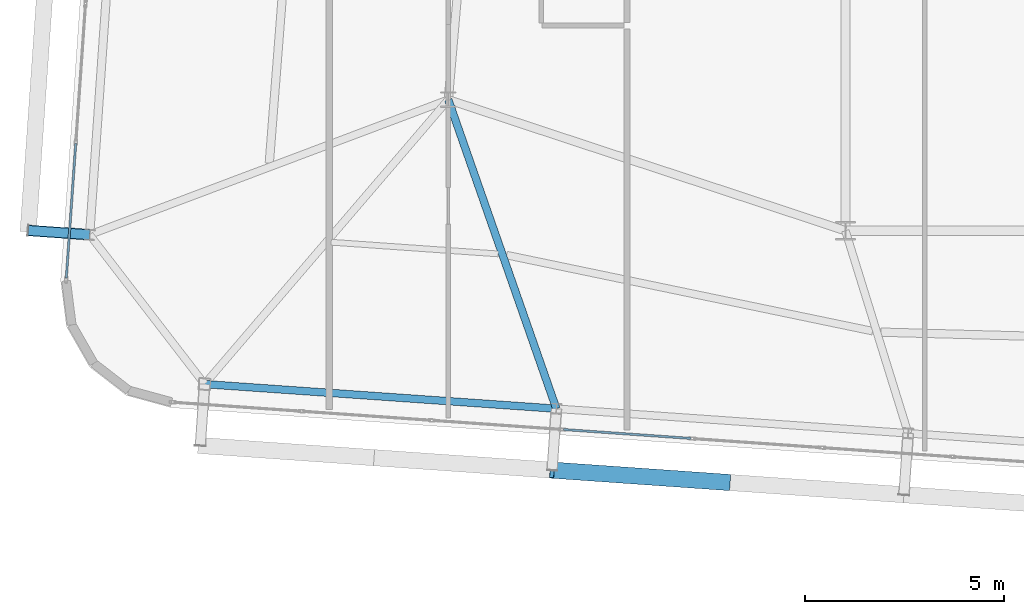
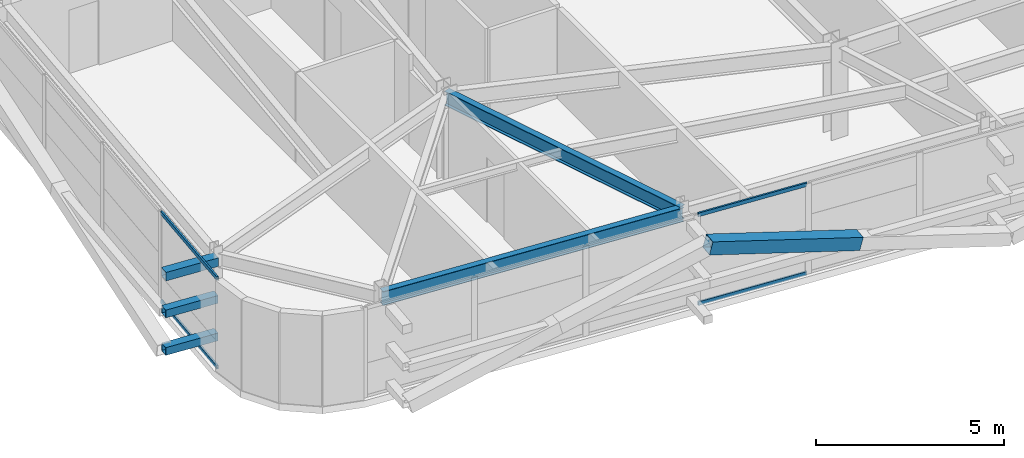
# One storey, part 7 of 47: 8 members, 2 beams, 2 elements without a shape of their own.
"""IFC4 building model written with IfcOpenShell, lengths in metres."""

from ifc_helpers import new_model, si_unit, direction, frame, origin, origin_2d, place, context, subcontext, project, spatial, hollow_rectangle, i_section, extrude, source, transform, mapped, material, layer, layer_set, material_profile, profile_set, type_object, element, aggregate, save


model = new_model("IFC4")

# Units and contexts
model_context = context("Model", 3, precision=1e-05, world=origin(), true_north=direction((0.0, 1.0)))
body_context = subcontext(model_context, "Body", "Model", "MODEL_VIEW")
ifc_project = project(units=[si_unit("LENGTHUNIT", "METRE"), si_unit("AREAUNIT", "SQUARE_METRE"), si_unit("VOLUMEUNIT", "CUBIC_METRE"), si_unit("PLANEANGLEUNIT", "RADIAN"), si_unit("MASSUNIT", "GRAM", prefix="KILO")], contexts=[model_context])

# Site, building, storey
site_placement = place(None, origin())
site = spatial("IfcSite", under=ifc_project, at=site_placement, CompositionType="ELEMENT")
building_placement = place(site_placement, origin())
building = spatial("IfcBuilding", under=site, at=building_placement, Name="Taldren Reach Tower", CompositionType="ELEMENT")
storey_placement = place(building_placement, frame((0.0, 0.0, 139.300048828125)))
storey = spatial("IfcBuildingStorey", under=building, at=storey_placement, Name="L42", CompositionType="ELEMENT", Elevation=139.300048828125)

# Members
ifc_material_1 = material(Name="Steel Gr 450 (C450L0)", Category="steel")
ifc_material_profile_1 = material_profile(ifc_material_1, hollow_rectangle(XDim=0.27490234375, YDim=0.27490234375, WallThickness=0.00927734375, at=origin_2d()), Name="275x275x9.3SHS")
ifc_profile_set_1 = profile_set([ifc_material_profile_1], Name="Steel Gr 450 (C450L0)")
member_type_1 = type_object("IfcMemberType", Name="MB-TIE273", PredefinedType="STRUT", material=ifc_profile_set_1)
shared_shape_1 = source(origin(), body_context, "Body", "SweptSolid", [
    extrude(hollow_rectangle(XDim=0.27490234375, YDim=0.27490234375, WallThickness=0.00927734375, at=origin_2d()), origin(), (0.0, 0.0, 1.0), 1.5498046875),
])
member_1_placement = place(storey_placement, frame((8.96875, 9.099609375, 2.64990234375), z_axis=(-0.997573320145, 0.069623781384, 0.0), x_axis=(-0.069623781384, -0.997573320145, 0.0)))
element("IfcMember", 1, at=member_1_placement, inside=storey, type_object=member_type_1, Name="Exoskeleton diaphragm tie strut B3-W1 L42", PredefinedType="STRUT", context=body_context, shape_type="MappedRepresentation", body=[
    mapped(shared_shape_1, transform((0.0, 0.0, 0.0), scale=1.0)),
])
ifc_material_2 = material(Name="Steel Gr 350 (C350L0)", Category="steel")
ifc_material_profile_2 = material_profile(ifc_material_2, hollow_rectangle(XDim=0.25, YDim=0.25, WallThickness=0.010009765625, at=origin_2d()), Name="250x250x10.0SHS")
ifc_profile_set_2 = profile_set([ifc_material_profile_2], Name="Steel Gr 350 (C350L0)")
member_type_2 = type_object("IfcMemberType", Name="MB-POST250", PredefinedType="POST", material=ifc_profile_set_2)
shared_shape_2 = source(origin(), body_context, "Body", "SweptSolid", [
    extrude(hollow_rectangle(XDim=0.25, YDim=0.25, WallThickness=0.010009765625, at=origin_2d()), origin(), (0.0, 0.0, 1.0), 1.5498046875),
])
for number, where, z_axis, x_axis, name in (
    (2, (8.96875, 9.099609375, 0.219970703125), (-0.997573320145, 0.069623781384, 0.0), (-0.069623781384, -0.997573320145, 0.0), "Exoskeleton base diaphragm tie strut B3-W1 L42"),
    (3, (8.96875, 9.099609375, 1.43505859375), (-0.997573320145, 0.069623781384, 0.0), (-0.069623781384, -0.997573320145, 0.0), "Exoskeleton mid-tier diaphragm tie B3-W1 L42"),
):
    element("IfcMember", number, at=place(storey_placement, frame(where, z_axis=z_axis, x_axis=x_axis)), inside=storey, type_object=member_type_2, Name=name, PredefinedType="POST", context=body_context, shape_type="MappedRepresentation", body=[
        mapped(shared_shape_2, transform((0.0, 0.0, 0.0), scale=1.0)),
    ])

# Beams
ifc_material_3 = material(Name="Steel Gr 350 (350PLUS)", Category="steel")
ifc_material_profile_3 = material_profile(ifc_material_3, i_section(OverallWidth=0.18994140625, OverallDepth=0.4541015625, WebThickness=0.008544921875, FlangeThickness=0.0126953125, at=origin_2d()), Name="460UB67.1")
ifc_profile_set_3 = profile_set([ifc_material_profile_3], Name="Steel Gr 350 (350PLUS)")
beam_type_1 = type_object("IfcBeamType", Name="SP-UB460B", PredefinedType="SPANDREL", material=ifc_profile_set_3)
shared_shape_3 = source(origin(), body_context, "Body", "SweptSolid", [
    extrude(i_section(OverallWidth=0.18994140625, OverallDepth=0.4541015625, WebThickness=0.008544921875, FlangeThickness=0.0126953125, at=origin_2d()), origin(), (0.0, 0.0, 1.0), 8.880126953125),
])
beam_1_placement = place(storey_placement, frame((11.863525390625, 5.33837890625, 2.702880859375), z_axis=(0.997564479639, -0.069750333063, 0.0), x_axis=(0.069750333063, 0.997564479639, 0.0)))
element("IfcBeam", 4, at=beam_1_placement, inside=storey, type_object=beam_type_1, Name="Perimeter spandrel B3 S1-S2 L42", PredefinedType="SPANDREL", context=body_context, shape_type="MappedRepresentation", body=[
    mapped(shared_shape_3, transform((0.0, 0.0, 0.0), scale=1.0)),
])
ifc_material_profile_4 = material_profile(ifc_material_3, i_section(OverallWidth=0.19091796875, OverallDepth=0.4599609375, WebThickness=0.010009765625, FlangeThickness=0.01611328125, at=origin_2d()), Name="460UB82.1")
ifc_profile_set_4 = profile_set([ifc_material_profile_4], Name="Steel Gr 350 (350PLUS)")
beam_type_2 = type_object("IfcBeamType", Name="BM-UB460A", PredefinedType="BEAM", material=ifc_profile_set_4)
shared_shape_4 = source(origin(), body_context, "Body", "SweptSolid", [
    extrude(i_section(OverallWidth=0.19091796875, OverallDepth=0.4599609375, WebThickness=0.010009765625, FlangeThickness=0.01611328125, at=origin_2d()), origin(), (0.0, 0.0, 1.0), 8.243408203125),
])
beam_2_placement = place(storey_placement, frame((18.0, 12.5, 2.699951171875), z_axis=(0.330196070713, -0.943912366105, 0.0), x_axis=(0.943912366105, 0.330196070713, 0.0)))
element("IfcBeam", 5, at=beam_2_placement, inside=storey, type_object=beam_type_2, Name="Primary floor girder B3-S2 L42", PredefinedType="BEAM", context=body_context, shape_type="MappedRepresentation", body=[
    mapped(shared_shape_4, transform((0.0, 0.0, 0.0), scale=1.0)),
])

# Member
ifc_material_profile_5 = material_profile(ifc_material_1, hollow_rectangle(XDim=0.409912109375, YDim=0.409912109375, WallThickness=0.01611328125, at=origin_2d()), Name="410x410x16.0SHS")
ifc_profile_set_5 = profile_set([ifc_material_profile_5], Name="Steel Gr 450 (C450L0)")
member_type_3 = type_object("IfcMemberType", Name="MB-EXO406", PredefinedType="BRACE", material=ifc_profile_set_5)
shared_shape_5 = source(origin(), body_context, "Body", "SweptSolid", [
    extrude(hollow_rectangle(XDim=0.409912109375, YDim=0.409912109375, WallThickness=0.01611328125, at=origin_2d()), origin(), (0.0, 0.0, 1.0), 4.603271484375),
])
member_2_placement = place(storey_placement, frame((25.04296875, 2.863037109375, 1.43505859375), z_axis=(-0.962195820062, 0.067303852699, 0.263911718699), x_axis=(-0.06977769246, -0.997562566276, 0.0)))
element("IfcMember", 6, at=member_2_placement, inside=storey, type_object=member_type_3, Name="Exoskeleton Diagrid Brace B3-S2 L42", PredefinedType="BRACE", context=body_context, shape_type="MappedRepresentation", body=[
    mapped(shared_shape_5, transform((0.0, 0.0, 0.0), scale=1.0)),
])

# Curtain wall, members
ifc_material_4 = material(Name="Aluminium and Low-E Glass Unitised System", Category="aluminium")
ifc_layer = layer(ifc_material_4, 0.159912109375)
ifc_layer_set = layer_set([ifc_layer], Name="Aluminium and Low-E Glass Unitised System")
curtain_wall_type = type_object("IfcCurtainWallType", Name="CW-SYS-4", PredefinedType="NOTDEFINED", material=ifc_layer_set)
curtain_wall_1_placement = place(storey_placement, origin())
curtain_wall_1 = element("IfcCurtainWall", 7, at=curtain_wall_1_placement, inside=storey, type_object=curtain_wall_type, Name="Unitised curtain wall CW-L42-S", PredefinedType="NOTDEFINED")
ifc_material_5 = material(Name="Anodised Aluminium 6063-T6", Category="aluminium")
ifc_material_profile_6 = material_profile(ifc_material_5, hollow_rectangle(XDim=0.054931640625, YDim=0.1201171875, WallThickness=0.0029296875, at=origin_2d()), Name="ALU-120x55x3RHS")
ifc_profile_set_6 = profile_set([ifc_material_profile_6], Name="Anodised Aluminium 6063-T6")
member_type_4 = type_object("IfcMemberType", Name="CW-TRN-135", PredefinedType="USERDEFINED", material=ifc_profile_set_6)
shared_shape_6 = source(origin(), body_context, "Body", "SweptSolid", [
    extrude(hollow_rectangle(XDim=0.054931640625, YDim=0.1201171875, WallThickness=0.0029296875, at=origin_2d()), origin(), (0.0, 0.0, 1.0), 3.2158203125),
])
member_3_placement = place(storey_placement, frame((20.89794921875, 4.1953125, 0.02734375), z_axis=(0.997568476954, -0.069693140171, 0.0), x_axis=(0.069693140171, 0.997568476954, 0.0)))
member_3 = element("IfcMember", 8, at=member_3_placement, type_object=member_type_4, Name="CW-4 transom 4.1", ObjectType="TRANSOM", PredefinedType="USERDEFINED", context=body_context, shape_type="MappedRepresentation", body=[
    mapped(shared_shape_6, transform((0.0, 0.0, 0.0), scale=1.0)),
])
member_4_placement = place(storey_placement, frame((20.89794921875, 4.1953125, 2.90234375), z_axis=(0.997568476954, -0.069693140171, 0.0), x_axis=(0.069693140171, 0.997568476954, 0.0)))
member_4 = element("IfcMember", 9, at=member_4_placement, type_object=member_type_4, Name="CW-4 transom 4.2", ObjectType="TRANSOM", PredefinedType="USERDEFINED", context=body_context, shape_type="MappedRepresentation", body=[
    mapped(shared_shape_6, transform((0.0, 0.0, 0.0), scale=1.0)),
])
aggregate(curtain_wall_1, [member_3, member_4])

curtain_wall_2_placement = place(storey_placement, origin())
curtain_wall_2 = element("IfcCurtainWall", 10, at=curtain_wall_2_placement, inside=storey, type_object=curtain_wall_type, Name="Unitised curtain wall CW-L42-W", PredefinedType="NOTDEFINED")
shared_shape_7 = source(origin(), body_context, "Body", "SweptSolid", [
    extrude(hollow_rectangle(XDim=0.054931640625, YDim=0.1201171875, WallThickness=0.0029296875, at=origin_2d()), origin(), (0.0, 0.0, 1.0), 3.39501953125),
])
member_5_placement = place(storey_placement, frame((8.6181640625, 11.39453125, 0.02734375), z_axis=(-0.069754703634, -0.997564174036, 0.0), x_axis=(0.997564174036, -0.069754703634, 0.0)))
member_5 = element("IfcMember", 11, at=member_5_placement, type_object=member_type_4, Name="CW-4 transom 8.1", ObjectType="TRANSOM", PredefinedType="USERDEFINED", context=body_context, shape_type="MappedRepresentation", body=[
    mapped(shared_shape_7, transform((0.0, 0.0, 0.0), scale=1.0)),
])
member_6_placement = place(storey_placement, frame((8.6181640625, 11.39453125, 2.90234375), z_axis=(-0.069754703634, -0.997564174036, 0.0), x_axis=(0.997564174036, -0.069754703634, 0.0)))
member_6 = element("IfcMember", 12, at=member_6_placement, type_object=member_type_4, Name="CW-4 transom 8.2", ObjectType="TRANSOM", PredefinedType="USERDEFINED", context=body_context, shape_type="MappedRepresentation", body=[
    mapped(shared_shape_7, transform((0.0, 0.0, 0.0), scale=1.0)),
])
aggregate(curtain_wall_2, [member_5, member_6])

save(model, "model.ifc")
